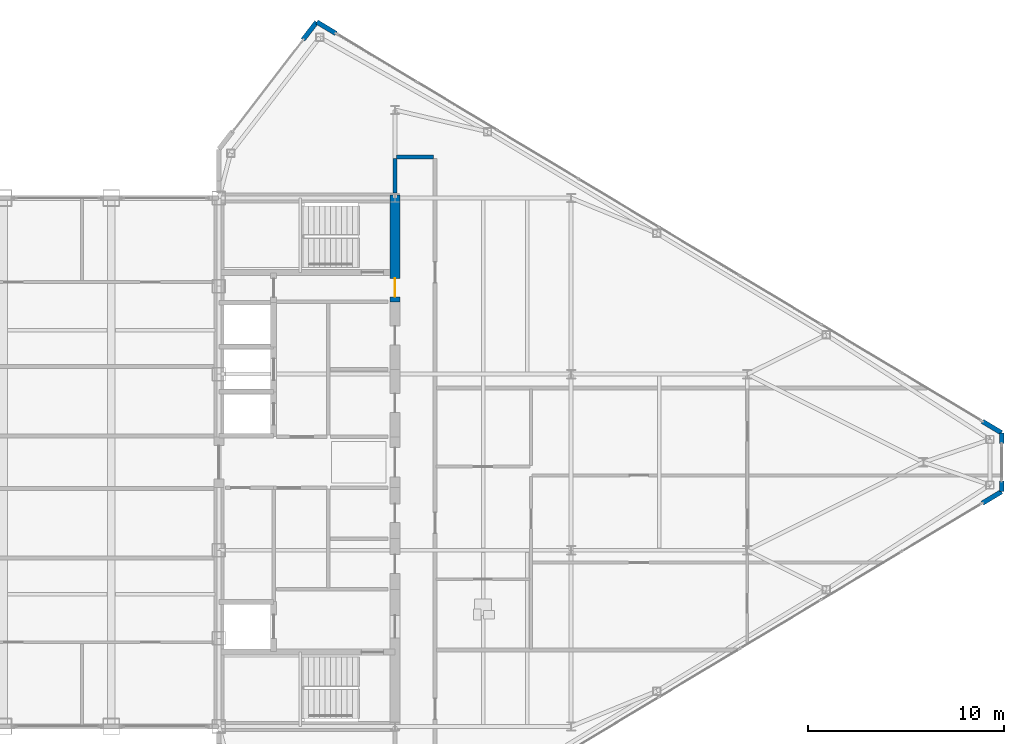
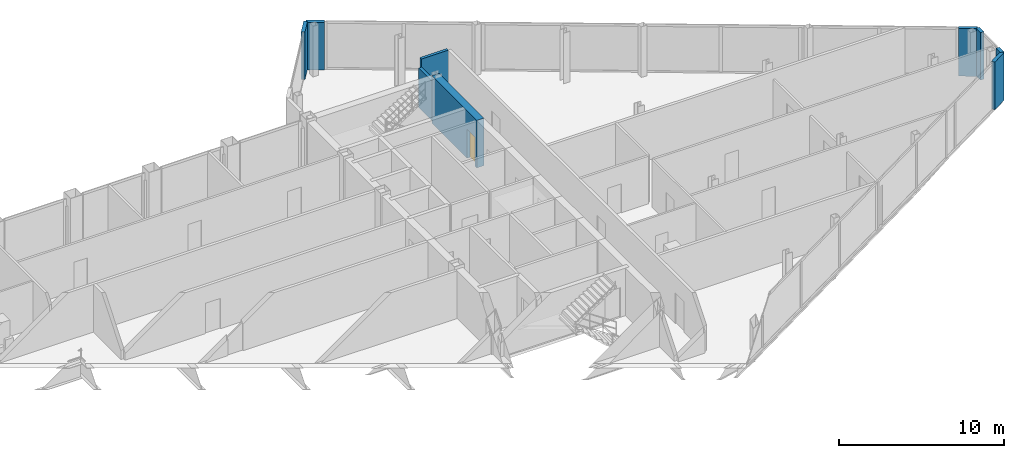
# One storey, part 26 of 29: 9 walls, 1 door, 1 opening.
"""IFC4 building model written with IfcOpenShell, lengths in metres."""

from ifc_helpers import new_model, si_unit, direction, frame, frame_2d, origin, place, context, subcontext, project, spatial, rectangle, extrude, source, transform, mapped, material, layer, layer_set, type_object, type_shapes, element, fill, save


model = new_model("IFC4")

# Units and contexts
model_context = context("Model", 3, precision=1e-05, world=origin(), true_north=direction((0.0, 1.0)))
body_context = subcontext(model_context, "Body", "Model", "MODEL_VIEW")
ifc_project = project(units=[si_unit("LENGTHUNIT", "METRE"), si_unit("AREAUNIT", "SQUARE_METRE"), si_unit("VOLUMEUNIT", "CUBIC_METRE"), si_unit("PLANEANGLEUNIT", "RADIAN"), si_unit("MASSUNIT", "GRAM", prefix="KILO")], contexts=[model_context])

# Site, building, storey
site_placement = place(None, origin())
site = spatial("IfcSite", under=ifc_project, at=site_placement, CompositionType="ELEMENT")
building_placement = place(site_placement, origin())
building = spatial("IfcBuilding", under=site, at=building_placement, Name="Seokmaru Belvedere", CompositionType="ELEMENT")
storey_placement = place(building_placement, frame((0.0, 0.0, 258.14990234375)))
storey = spatial("IfcBuildingStorey", under=building, at=storey_placement, Name="L68", CompositionType="ELEMENT", Elevation=258.14990234375)

# Walls
ifc_material_1 = material(Name="Fire-Rated Gypsum Shaftwall")
ifc_layer_1 = layer(ifc_material_1, 0.199951171875)
ifc_layer_set_1 = layer_set([ifc_layer_1], Name="Fire-Rated Gypsum Shaftwall")
wall_type_1 = type_object("IfcWallType", Name="Inter-Tenancy Fire Compartment Partition 200", PredefinedType="PARTITIONING", material=ifc_layer_set_1)
wall_1_placement = place(storey_placement, frame((36.5849609375, 15.60009765625, 0.0), z_axis=(0.0, 0.0, 1.0), x_axis=(1.0, 0.0, 0.0)))
element("IfcWall", 1, at=wall_1_placement, inside=storey, type_object=wall_type_1, Name="L68 Interior Partition 025", PredefinedType="PARTITIONING", context=body_context, shape_type="SweptSolid", body=[
    extrude(rectangle(XDim=1.880126953125, YDim=0.199951171875, at=frame_2d((0.93994140625, 0.0))), origin(), (0.0, 0.0, 1.0), 3.530029296875),
])
wall_2_placement = place(storey_placement, frame((36.5, 13.7548828125, 0.0), z_axis=(0.0, 0.0, 1.0), x_axis=(0.0, 1.0, 0.0)))
element("IfcWall", 2, at=wall_2_placement, inside=storey, type_object=wall_type_1, Name="L68 Interior Partition 048", PredefinedType="PARTITIONING", context=body_context, shape_type="SweptSolid", body=[
    extrude(rectangle(XDim=1.760009765625, YDim=0.199951171875, at=frame_2d((0.8798828125, 0.0))), origin(), (0.0, 0.0, 1.0), 2.93017578125),
])
ifc_material_2 = material(Name="Anodised Bronze Aluminium", Category="aluminium")
ifc_layer_2 = layer(ifc_material_2, 0.239990234375)
ifc_layer_set_2 = layer_set([ifc_layer_2], Name="Anodised Bronze Aluminium")
wall_type_2 = type_object("IfcWallType", Name="Tower Corner Spandrel Closure Wall 240", PredefinedType="SOLIDWALL", material=ifc_layer_set_2)
wall_3_placement = place(storey_placement, frame((66.513916015625, -2.091796875, 0.0), z_axis=(0.0, 0.0, 1.0), x_axis=(0.85743623509, 0.514590228002, 0.0)))
element("IfcWall", 3, at=wall_3_placement, inside=storey, type_object=wall_type_2, Name="L68 E Corner Closure Pier 1B", PredefinedType="SOLIDWALL", context=body_context, shape_type="SweptSolid", body=[
    extrude(rectangle(XDim=1.14013671875, YDim=0.239990234375, at=frame_2d((0.570068359375, 0.0))), origin(), (0.0, 0.0, 1.0), 3.530029296875),
])
for number, where, z_axis, x_axis, name in (
    (4, (67.5, -1.489990234375, 0.0), (0.0, 0.0, 1.0), (0.0, 1.0, 0.0), "L68 E Apex Closure Pier 2A"),
    (5, (67.5, 0.949951171875, 0.0), (0.0, 0.0, 1.0), (0.0, 1.0, 0.0), "L68 E Apex Closure Pier 2B"),
):
    element("IfcWall", number, at=place(storey_placement, frame(where, z_axis=z_axis, x_axis=x_axis)), inside=storey, type_object=wall_type_2, Name=name, PredefinedType="SOLIDWALL", context=body_context, shape_type="SweptSolid", body=[
        extrude(rectangle(XDim=0.5400390625, YDim=0.239990234375, at=frame_2d((0.27001953125, 0.0))), origin(), (0.0, 0.0, 1.0), 3.530029296875),
    ])
for number, where, z_axis, x_axis, name in (
    (6, (67.491455078125, 1.505126953125, 0.0), (0.0, 0.0, 1.0), (-0.85743623509, 0.514590228002, 0.0), "L68 E Corner Closure Pier 3A"),
    (7, (33.486083984375, 21.908203125, 0.0), (0.0, 0.0, 1.0), (-0.85743623509, 0.514590228002, 0.0), "L68 E Corner Closure Pier 3B"),
    (8, (32.493896484375, 22.4921875, 0.0), (0.0, 0.0, 1.0), (-0.609617623633, -0.792695624408, 0.0), "L68 E Corner Closure Pier 4A"),
):
    element("IfcWall", number, at=place(storey_placement, frame(where, z_axis=z_axis, x_axis=x_axis)), inside=storey, type_object=wall_type_2, Name=name, PredefinedType="SOLIDWALL", context=body_context, shape_type="SweptSolid", body=[
        extrude(rectangle(XDim=1.14013671875, YDim=0.239990234375, at=frame_2d((0.570068359375, 0.0))), origin(), (0.0, 0.0, 1.0), 3.530029296875),
    ])

# Wall, opening, door
ifc_material_3 = material(Name="Concrete C50 (50 MPa)", Category="concrete")
ifc_layer_3 = layer(ifc_material_3, 0.5)
ifc_layer_set_3 = layer_set([ifc_layer_3], Name="Concrete C50 (50 MPa)")
wall_type_3 = type_object("IfcWallType", Name="Upper Tower Reinforced Concrete Core Wall 500", PredefinedType="SHEAR", material=ifc_layer_set_3)
wall_4_placement = place(storey_placement, frame((36.5, 8.199951171875, 0.0), z_axis=(0.0, 0.0, 1.0), x_axis=(0.0, 1.0, 0.0)))
wall_4 = element("IfcWall", 9, at=wall_4_placement, inside=storey, type_object=wall_type_3, Name="L68 East West Core Wall VST", PredefinedType="SHEAR", context=body_context, shape_type="SweptSolid", body=[
    extrude(rectangle(XDim=5.449951171875, YDim=0.5, at=frame_2d((2.72509765625, 0.0))), origin(), (0.0, 0.0, 1.0), 3.530029296875),
])
opening_placement = place(wall_4_placement, frame((0.2451171875, 0.0, 0.0)))
opening = element("IfcOpeningElement", 10, at=opening_placement, cuts=wall_4, Name="Opening D04", PredefinedType="OPENING", context=body_context, shape_type="SweptSolid", body=[
    extrude(rectangle(XDim=0.949951171875, YDim=2.14990234375, at=frame_2d((0.47509765625, 1.074951171875))), frame((0.0, 0.260009765625, 0.0), z_axis=(0.0, -1.0, 0.0), x_axis=(1.0, 0.0, 0.0)), (0.0, 0.0, 1.0), 0.52001953125),
])
ifc_material_4 = material(Name="Fire-Rated Steel Leaf", Category="steel")
door_type = type_object("IfcDoorType", Name="Core Service Room Fire Door 950x2150", OperationType="NOTDEFINED", PredefinedType="DOOR", material=ifc_material_4)
shared_shape = source(origin(), body_context, "Body", "SweptSolid", [
    extrude(rectangle(XDim=0.949951171875, YDim=2.14990234375, at=frame_2d((0.47509765625, 1.074951171875))), frame((0.0, 0.02490234375, 0.0), z_axis=(0.0, -1.0, 0.0), x_axis=(1.0, 0.0, 0.0)), (0.0, 0.0, 1.0), 0.050048828125),
])
type_shapes(door_type, [shared_shape])
door_placement = place(opening_placement, origin())
door = element("IfcDoor", 11, at=door_placement, inside=storey, type_object=door_type, Name="L68 East Smokeproof Vestibule Door", OperationType="SINGLE_SWING_LEFT", OverallHeight=2.14990234375, OverallWidth=0.949951171875, PredefinedType="DOOR", context=body_context, shape_type="MappedRepresentation", body=[
    mapped(shared_shape, transform((0.0, 0.0, 0.0), scale=1.0)),
])
fill(opening, door)

save(model, "model.ifc")
